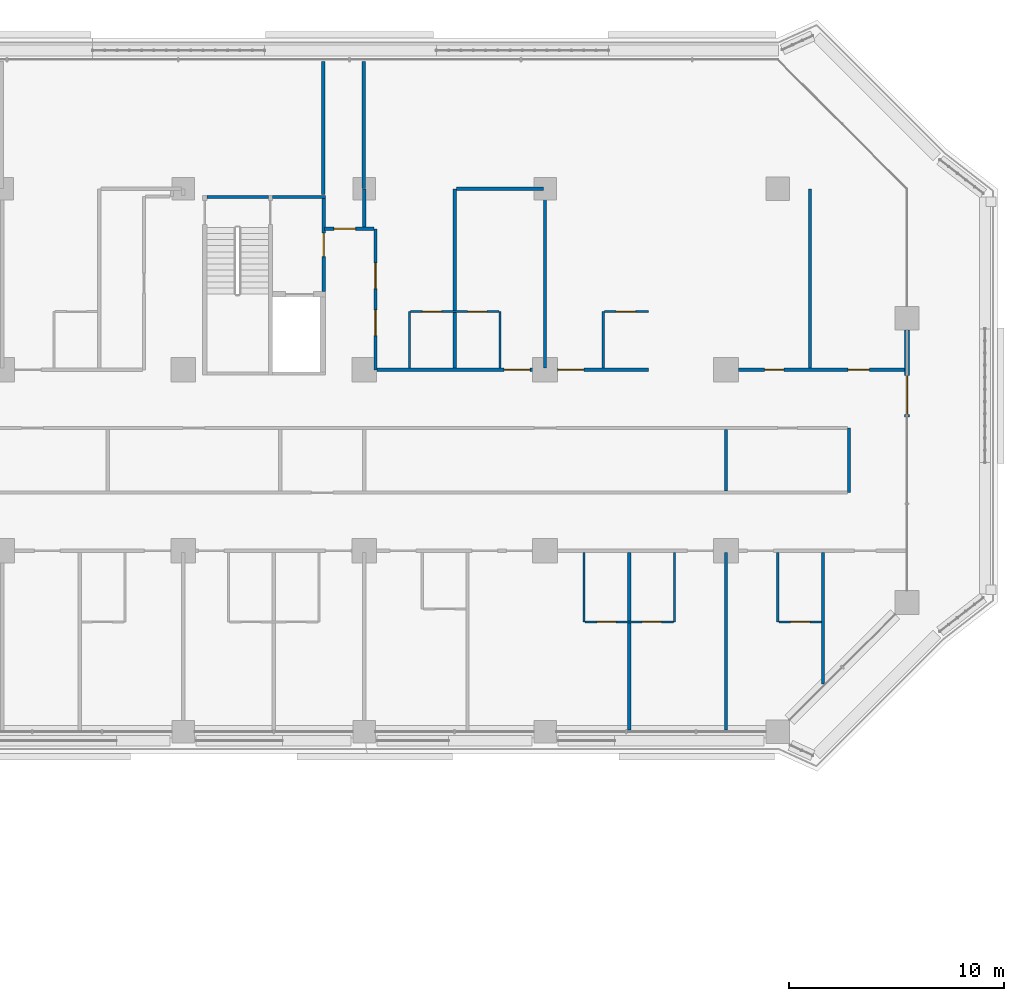
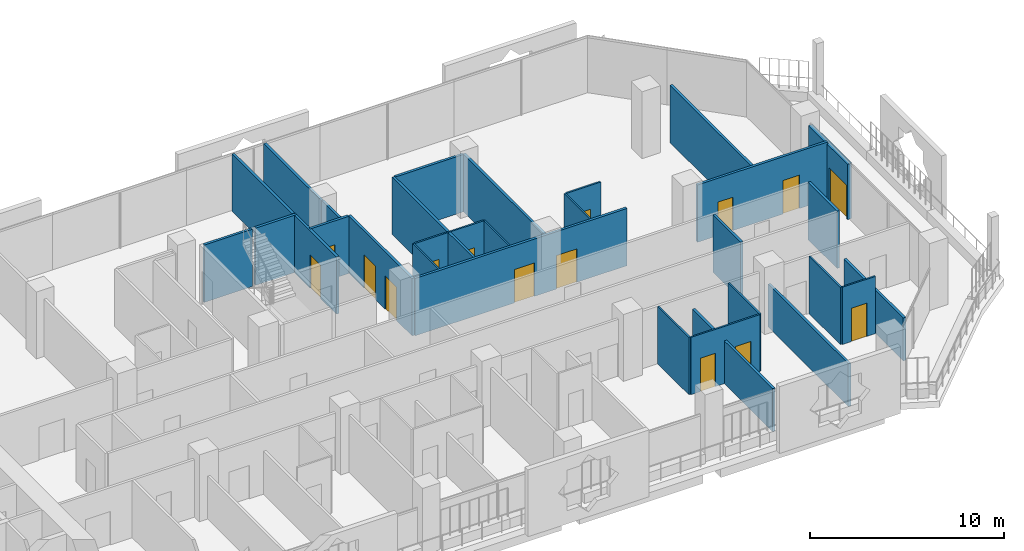
# One storey, part 17 of 25: 30 walls, 15 doors, 15 openings.
"""IFC4 building model written with IfcOpenShell, lengths in metres."""

from ifc_helpers import new_model, si_unit, direction, frame, frame_2d, origin, place, context, subcontext, project, spatial, rectangle, extrude, material, layer, layer_set, type_object, element, fill, save


model = new_model("IFC4")

# Units and contexts
model_context = context("Model", 3, precision=1e-05, world=origin(), true_north=direction((0.0, 1.0)))
body_context = subcontext(model_context, "Body", "Model", "MODEL_VIEW")
ifc_project = project(units=[si_unit("LENGTHUNIT", "METRE"), si_unit("AREAUNIT", "SQUARE_METRE"), si_unit("VOLUMEUNIT", "CUBIC_METRE"), si_unit("PLANEANGLEUNIT", "RADIAN"), si_unit("MASSUNIT", "GRAM", prefix="KILO")], contexts=[model_context])

# Site, building, storey
site_placement = place(None, origin())
site = spatial("IfcSite", under=ifc_project, at=site_placement, CompositionType="ELEMENT")
building_placement = place(site_placement, origin())
building = spatial("IfcBuilding", under=site, at=building_placement, Name="Kawkab Arch Medical Tower", CompositionType="ELEMENT")
storey_placement = place(building_placement, frame((0.0, 0.0, 136.60009765625)))
storey = spatial("IfcBuildingStorey", under=building, at=storey_placement, Name="L31", CompositionType="ELEMENT", Elevation=136.60009765625)

# Wall, opening, door
ifc_material_1 = material(Name="Gypsum board on steel studs", Category="steel")
ifc_layer_1 = layer(ifc_material_1, 0.14990234375)
ifc_layer_set_1 = layer_set([ifc_layer_1], Name="Gypsum board on steel studs")
wall_type_1 = type_object("IfcWallType", Name="Core room partition 150", PredefinedType="PARTITIONING", material=ifc_layer_set_1)
wall_1_placement = place(storey_placement, frame((48.52490234375, -4.77490234375, 0.0), z_axis=(0.0, 0.0, 1.0), x_axis=(0.0, 1.0, 0.0)))
wall_1 = element("IfcWall", 1, at=wall_1_placement, inside=storey, type_object=wall_type_1, Name="L31 core room partition", PredefinedType="PARTITIONING", context=body_context, shape_type="SweptSolid", body=[
    extrude(rectangle(XDim=4.324951171875, YDim=0.14990234375, at=frame_2d((2.16259765625, 0.0))), origin(), (0.0, 0.0, 1.0), 3.599853515625),
])
opening_1_placement = place(wall_1_placement, frame((1.625, 0.0, 0.0)))
opening_1 = element("IfcOpeningElement", 2, at=opening_1_placement, cuts=wall_1, Name="Opening FD", PredefinedType="OPENING", context=body_context, shape_type="SweptSolid", body=[
    extrude(rectangle(XDim=1.10009765625, YDim=2.10009765625, at=frame_2d((0.550048828125, 1.050048828125))), frame((0.0, 0.0849609375, 0.0), z_axis=(0.0, -1.0, 0.0), x_axis=(1.0, 0.0, 0.0)), (0.0, 0.0, 1.0), 0.169921875),
])
ifc_material_2 = material(Name="Hollow metal fire door leaf")
door_type_1 = type_object("IfcDoorType", Name="Firefighting lobby door 1100", OperationType="SINGLE_SWING_LEFT", PredefinedType="DOOR", material=ifc_material_2)
door_1_placement = place(opening_1_placement, origin())
door_1 = element("IfcDoor", 3, at=door_1_placement, inside=storey, type_object=door_type_1, Name="L31 Service lift lobby door SV1", OperationType="SINGLE_SWING_LEFT", OverallHeight=2.10009765625, OverallWidth=1.10009765625, PredefinedType="DOOR", context=body_context, shape_type="SweptSolid", body=[
    extrude(rectangle(XDim=1.10009765625, YDim=2.10009765625, at=frame_2d((0.550048828125, 1.050048828125))), frame((0.0, 0.02490234375, 0.0), z_axis=(0.0, -1.0, 0.0), x_axis=(1.0, 0.0, 0.0)), (0.0, 0.0, 1.0), 0.050048828125),
])
fill(opening_1, door_1)

ifc_material_3 = material(Name="Bronze clad insulated wall panel")
ifc_layer_2 = layer(ifc_material_3, 0.25)
ifc_layer_set_2 = layer_set([ifc_layer_2], Name="Bronze clad insulated wall panel")
wall_type_2 = type_object("IfcWallType", Name="External wall bay 250", PredefinedType="SOLIDWALL", material=ifc_layer_set_2)
wall_2_placement = place(storey_placement, frame((75.60009765625, -10.583251953125, 0.0), z_axis=(0.0, 0.0, 1.0), x_axis=(0.0, 1.0, 0.0)))
wall_2 = element("IfcWall", 4, at=wall_2_placement, inside=storey, type_object=wall_type_2, Name="External wall bay L31.R09.1.3", PredefinedType="SOLIDWALL", context=body_context, shape_type="SweptSolid", body=[
    extrude(rectangle(XDim=4.033203125, YDim=0.25, at=frame_2d((2.0166015625, 0.0))), origin(), (0.0, 0.0, 1.0), 3.47998046875),
])
opening_2_placement = place(wall_2_placement, frame((0.11669921875, 0.0, 0.0)))
opening_2 = element("IfcOpeningElement", 5, at=opening_2_placement, cuts=wall_2, Name="Opening W26-701", PredefinedType="OPENING", context=body_context, shape_type="SweptSolid", body=[
    extrude(rectangle(XDim=1.800048828125, YDim=2.10009765625, at=frame_2d((0.89990234375, 1.050048828125))), frame((0.0, 0.135009765625, 0.0), z_axis=(0.0, -1.0, 0.0), x_axis=(1.0, 0.0, 0.0)), (0.0, 0.0, 1.0), 0.27001953125),
])
ifc_material_4 = material(Name="Bronze anodised aluminium door with tinted glass", Category="aluminium")
door_type_2 = type_object("IfcDoorType", Name="Double external door 1800 x 2100", OperationType="DOUBLE_DOOR_SINGLE_SWING", PredefinedType="DOOR", material=ifc_material_4)
door_2_placement = place(opening_2_placement, origin())
door_2 = element("IfcDoor", 6, at=door_2_placement, inside=storey, type_object=door_type_2, Name="External door L31.R09.1.3", OperationType="DOUBLE_DOOR_SINGLE_SWING", OverallHeight=2.10009765625, OverallWidth=1.800048828125, PredefinedType="DOOR", context=body_context, shape_type="SweptSolid", body=[
    extrude(rectangle(XDim=1.800048828125, YDim=2.10009765625, at=frame_2d((0.89990234375, 1.050048828125))), frame((0.0, 0.02490234375, 0.0), z_axis=(0.0, -1.0, 0.0), x_axis=(1.0, 0.0, 0.0)), (0.0, 0.0, 1.0), 0.050048828125),
])
fill(opening_2, door_2)

# Wall, openings, doors
ifc_material_5 = material(Name="Gypsum board partition on steel studs", Category="steel")
ifc_layer_3 = layer(ifc_material_5, 0.10009765625)
ifc_layer_set_3 = layer_set([ifc_layer_3], Name="Gypsum board partition on steel studs")
wall_type_3 = type_object("IfcWallType", Name="Partition 100", PredefinedType="PARTITIONING", material=ifc_layer_set_3)
wall_3_placement = place(storey_placement, frame((60.652099609375, -20.10009765625, 0.0), z_axis=(0.0, 0.0, 1.0), x_axis=(1.0, 0.0, 0.0)))
wall_3 = element("IfcWall", 7, at=wall_3_placement, inside=storey, type_object=wall_type_3, Name="Partition 100 w007", PredefinedType="PARTITIONING", context=body_context, shape_type="SweptSolid", body=[
    extrude(rectangle(XDim=4.097900390625, YDim=0.10009765625, at=frame_2d((2.048828125, 0.0))), origin(), (0.0, 0.0, 1.0), 3.599853515625),
])
opening_3_placement = place(wall_3_placement, frame((0.549072265625, 0.0, 0.0)))
opening_3 = element("IfcOpeningElement", 8, at=opening_3_placement, cuts=wall_3, Name="Opening W26-017", PredefinedType="OPENING", context=body_context, shape_type="SweptSolid", body=[
    extrude(rectangle(XDim=0.89990234375, YDim=2.10009765625, at=frame_2d((0.449951171875, 1.050048828125))), frame((0.0, 0.06005859375, 0.0), z_axis=(0.0, -1.0, 0.0), x_axis=(1.0, 0.0, 0.0)), (0.0, 0.0, 1.0), 0.1201171875),
])
opening_4_placement = place(wall_3_placement, frame((2.64794921875, 0.0, 0.0)))
opening_4 = element("IfcOpeningElement", 9, at=opening_4_placement, cuts=wall_3, Name="Opening W26-018", PredefinedType="OPENING", context=body_context, shape_type="SweptSolid", body=[
    extrude(rectangle(XDim=0.89990234375, YDim=2.10009765625, at=frame_2d((0.449951171875, 1.050048828125))), frame((0.0, 0.06005859375, 0.0), z_axis=(0.0, -1.0, 0.0), x_axis=(1.0, 0.0, 0.0)), (0.0, 0.0, 1.0), 0.1201171875),
])
ifc_material_6 = material(Name="Timber door leaf", Category="wood")
door_type_3 = type_object("IfcDoorType", Name="Single door 900x2100", OperationType="NOTDEFINED", PredefinedType="DOOR", material=ifc_material_6)
door_3_placement = place(opening_3_placement, origin())
door_3 = element("IfcDoor", 10, at=door_3_placement, inside=storey, type_object=door_type_3, Name="Door W26-017", OperationType="SINGLE_SWING_RIGHT", OverallHeight=2.10009765625, OverallWidth=0.89990234375, PredefinedType="DOOR", context=body_context, shape_type="SweptSolid", body=[
    extrude(rectangle(XDim=0.89990234375, YDim=2.10009765625, at=frame_2d((0.449951171875, 1.050048828125))), frame((0.0, 0.02490234375, 0.0), z_axis=(0.0, -1.0, 0.0), x_axis=(1.0, 0.0, 0.0)), (0.0, 0.0, 1.0), 0.050048828125),
])
fill(opening_3, door_3)
door_4_placement = place(opening_4_placement, origin())
door_4 = element("IfcDoor", 11, at=door_4_placement, inside=storey, type_object=door_type_3, Name="Door W26-018", OperationType="SINGLE_SWING_LEFT", OverallHeight=2.10009765625, OverallWidth=0.89990234375, PredefinedType="DOOR", context=body_context, shape_type="SweptSolid", body=[
    extrude(rectangle(XDim=0.89990234375, YDim=2.10009765625, at=frame_2d((0.449951171875, 1.050048828125))), frame((0.0, 0.02490234375, 0.0), z_axis=(0.0, -1.0, 0.0), x_axis=(1.0, 0.0, 0.0)), (0.0, 0.0, 1.0), 0.050048828125),
])
fill(opening_4, door_4)

# Wall, opening, door
wall_4_placement = place(storey_placement, frame((69.64990234375, -20.10009765625, 0.0), z_axis=(0.0, 0.0, 1.0), x_axis=(1.0, 0.0, 0.0)))
wall_4 = element("IfcWall", 12, at=wall_4_placement, inside=storey, type_object=wall_type_3, Name="Partition 100 w008", PredefinedType="PARTITIONING", context=body_context, shape_type="SweptSolid", body=[
    extrude(rectangle(XDim=1.97509765625, YDim=0.10009765625, at=frame_2d((0.987548828125, 0.0))), origin(), (0.0, 0.0, 1.0), 3.599853515625),
])
opening_5_placement = place(wall_4_placement, frame((0.550048828125, 0.0, 0.0)))
opening_5 = element("IfcOpeningElement", 13, at=opening_5_placement, cuts=wall_4, Name="Opening W26-019", PredefinedType="OPENING", context=body_context, shape_type="SweptSolid", body=[
    extrude(rectangle(XDim=0.89990234375, YDim=2.10009765625, at=frame_2d((0.449951171875, 1.050048828125))), frame((0.0, 0.06005859375, 0.0), z_axis=(0.0, -1.0, 0.0), x_axis=(1.0, 0.0, 0.0)), (0.0, 0.0, 1.0), 0.1201171875),
])
door_5_placement = place(opening_5_placement, origin())
door_5 = element("IfcDoor", 14, at=door_5_placement, inside=storey, type_object=door_type_3, Name="Door W26-019", OperationType="SINGLE_SWING_RIGHT", OverallHeight=2.10009765625, OverallWidth=0.89990234375, PredefinedType="DOOR", context=body_context, shape_type="SweptSolid", body=[
    extrude(rectangle(XDim=0.89990234375, YDim=2.10009765625, at=frame_2d((0.449951171875, 1.050048828125))), frame((0.0, 0.02490234375, 0.0), z_axis=(0.0, -1.0, 0.0), x_axis=(1.0, 0.0, 0.0)), (0.0, 0.0, 1.0), 0.050048828125),
])
fill(opening_5, door_5)

# Wall, openings, doors
wall_5_placement = place(storey_placement, frame((52.550048828125, -5.699951171875, 0.0), z_axis=(0.0, 0.0, 1.0), x_axis=(1.0, 0.0, 0.0)))
wall_5 = element("IfcWall", 15, at=wall_5_placement, inside=storey, type_object=wall_type_3, Name="Partition 100 w011", PredefinedType="PARTITIONING", context=body_context, shape_type="SweptSolid", body=[
    extrude(rectangle(XDim=4.099853515625, YDim=0.10009765625, at=frame_2d((2.0498046875, 0.0))), origin(), (0.0, 0.0, 1.0), 3.599853515625),
])
opening_6_placement = place(wall_5_placement, frame((0.550048828125, 0.0, 0.0)))
opening_6 = element("IfcOpeningElement", 16, at=opening_6_placement, cuts=wall_5, Name="Opening W26-007", PredefinedType="OPENING", context=body_context, shape_type="SweptSolid", body=[
    extrude(rectangle(XDim=0.89990234375, YDim=2.10009765625, at=frame_2d((0.449951171875, 1.050048828125))), frame((0.0, 0.06005859375, 0.0), z_axis=(0.0, -1.0, 0.0), x_axis=(1.0, 0.0, 0.0)), (0.0, 0.0, 1.0), 0.1201171875),
])
opening_7_placement = place(wall_5_placement, frame((2.64990234375, 0.0, 0.0)))
opening_7 = element("IfcOpeningElement", 17, at=opening_7_placement, cuts=wall_5, Name="Opening W26-008", PredefinedType="OPENING", context=body_context, shape_type="SweptSolid", body=[
    extrude(rectangle(XDim=0.89990234375, YDim=2.10009765625, at=frame_2d((0.449951171875, 1.050048828125))), frame((0.0, 0.06005859375, 0.0), z_axis=(0.0, -1.0, 0.0), x_axis=(1.0, 0.0, 0.0)), (0.0, 0.0, 1.0), 0.1201171875),
])
door_6_placement = place(opening_6_placement, origin())
door_6 = element("IfcDoor", 18, at=door_6_placement, inside=storey, type_object=door_type_3, Name="Door W26-007", OperationType="SINGLE_SWING_LEFT", OverallHeight=2.10009765625, OverallWidth=0.89990234375, PredefinedType="DOOR", context=body_context, shape_type="SweptSolid", body=[
    extrude(rectangle(XDim=0.89990234375, YDim=2.10009765625, at=frame_2d((0.449951171875, 1.050048828125))), frame((0.0, 0.02490234375, 0.0), z_axis=(0.0, -1.0, 0.0), x_axis=(1.0, 0.0, 0.0)), (0.0, 0.0, 1.0), 0.050048828125),
])
fill(opening_6, door_6)
door_7_placement = place(opening_7_placement, origin())
door_7 = element("IfcDoor", 19, at=door_7_placement, inside=storey, type_object=door_type_3, Name="Door W26-008", OperationType="SINGLE_SWING_RIGHT", OverallHeight=2.10009765625, OverallWidth=0.89990234375, PredefinedType="DOOR", context=body_context, shape_type="SweptSolid", body=[
    extrude(rectangle(XDim=0.89990234375, YDim=2.10009765625, at=frame_2d((0.449951171875, 1.050048828125))), frame((0.0, 0.02490234375, 0.0), z_axis=(0.0, -1.0, 0.0), x_axis=(1.0, 0.0, 0.0)), (0.0, 0.0, 1.0), 0.050048828125),
])
fill(opening_7, door_7)

# Wall, opening, door
wall_6_placement = place(storey_placement, frame((61.550048828125, -5.699951171875, 0.0), z_axis=(0.0, 0.0, 1.0), x_axis=(1.0, 0.0, 0.0)))
wall_6 = element("IfcWall", 20, at=wall_6_placement, inside=storey, type_object=wall_type_3, Name="Partition 100 w012", PredefinedType="PARTITIONING", context=body_context, shape_type="SweptSolid", body=[
    extrude(rectangle(XDim=2.050048828125, YDim=0.10009765625, at=frame_2d((1.02490234375, 0.0))), origin(), (0.0, 0.0, 1.0), 3.599853515625),
])
opening_8_placement = place(wall_6_placement, frame((0.550048828125, 0.0, 0.0)))
opening_8 = element("IfcOpeningElement", 21, at=opening_8_placement, cuts=wall_6, Name="Opening W26-009", PredefinedType="OPENING", context=body_context, shape_type="SweptSolid", body=[
    extrude(rectangle(XDim=0.89990234375, YDim=2.10009765625, at=frame_2d((0.449951171875, 1.050048828125))), frame((0.0, 0.06005859375, 0.0), z_axis=(0.0, -1.0, 0.0), x_axis=(1.0, 0.0, 0.0)), (0.0, 0.0, 1.0), 0.1201171875),
])
door_8_placement = place(opening_8_placement, origin())
door_8 = element("IfcDoor", 22, at=door_8_placement, inside=storey, type_object=door_type_3, Name="Door W26-009", OperationType="SINGLE_SWING_LEFT", OverallHeight=2.10009765625, OverallWidth=0.89990234375, PredefinedType="DOOR", context=body_context, shape_type="SweptSolid", body=[
    extrude(rectangle(XDim=0.89990234375, YDim=2.10009765625, at=frame_2d((0.449951171875, 1.050048828125))), frame((0.0, 0.02490234375, 0.0), z_axis=(0.0, -1.0, 0.0), x_axis=(1.0, 0.0, 0.0)), (0.0, 0.0, 1.0), 0.050048828125),
])
fill(opening_8, door_8)

# Walls
for number, where, z_axis, x_axis, name in (
    (23, (52.5, -8.324951171875, 0.0), (0.0, 0.0, 1.0), (0.0, 1.0, 0.0), "Partition 100 w020"),
    (24, (56.699951171875, -8.324951171875, 0.0), (0.0, 0.0, 1.0), (0.0, 1.0, 0.0), "Partition 100 w022"),
):
    element("IfcWall", number, at=place(storey_placement, frame(where, z_axis=z_axis, x_axis=x_axis)), inside=storey, type_object=wall_type_3, Name=name, PredefinedType="PARTITIONING", context=body_context, shape_type="SweptSolid", body=[
        extrude(rectangle(XDim=2.625, YDim=0.10009765625, at=frame_2d((1.3125, 0.0))), origin(), (0.0, 0.0, 1.0), 3.599853515625),
    ])
wall_7_placement = place(storey_placement, frame((60.60009765625, -20.09912109375, 0.0), z_axis=(0.0, 0.0, 1.0), x_axis=(0.0, 1.0, 0.0)))
element("IfcWall", 25, at=wall_7_placement, inside=storey, type_object=wall_type_3, Name="Partition 100 w023", PredefinedType="PARTITIONING", context=body_context, shape_type="SweptSolid", body=[
    extrude(rectangle(XDim=3.22412109375, YDim=0.10009765625, at=frame_2d((1.612060546875, 0.0))), origin(), (0.0, 0.0, 1.0), 3.599853515625),
])
wall_8_placement = place(storey_placement, frame((61.5, -8.324951171875, 0.0), z_axis=(0.0, 0.0, 1.0), x_axis=(0.0, 1.0, 0.0)))
element("IfcWall", 26, at=wall_8_placement, inside=storey, type_object=wall_type_3, Name="Partition 100 w024", PredefinedType="PARTITIONING", context=body_context, shape_type="SweptSolid", body=[
    extrude(rectangle(XDim=2.625, YDim=0.10009765625, at=frame_2d((1.3125, 0.0))), origin(), (0.0, 0.0, 1.0), 3.599853515625),
])
for number, where, z_axis, x_axis, name in (
    (27, (64.800048828125, -20.10009765625, 0.0), (0.0, 0.0, 1.0), (0.0, 1.0, 0.0), "Partition 100 w025"),
    (28, (69.60009765625, -20.10009765625, 0.0), (0.0, 0.0, 1.0), (0.0, 1.0, 0.0), "Partition 100 w026"),
):
    element("IfcWall", number, at=place(storey_placement, frame(where, z_axis=z_axis, x_axis=x_axis)), inside=storey, type_object=wall_type_3, Name=name, PredefinedType="PARTITIONING", context=body_context, shape_type="SweptSolid", body=[
        extrude(rectangle(XDim=3.22509765625, YDim=0.10009765625, at=frame_2d((1.612548828125, 0.0))), origin(), (0.0, 0.0, 1.0), 3.599853515625),
    ])

# Wall, openings, doors
ifc_material_7 = material(Name="Gypsum board partition on steel studs, mineral wool", Category="steel")
ifc_layer_4 = layer(ifc_material_7, 0.14990234375)
ifc_layer_set_4 = layer_set([ifc_layer_4], Name="Gypsum board partition on steel studs, mineral wool")
wall_type_4 = type_object("IfcWallType", Name="Partition 150", PredefinedType="PARTITIONING", material=ifc_layer_set_4)
wall_9_placement = place(storey_placement, frame((51.0, -8.39990234375, 0.0), z_axis=(0.0, 0.0, 1.0), x_axis=(1.0, 0.0, 0.0)))
wall_9 = element("IfcWall", 29, at=wall_9_placement, inside=storey, type_object=wall_type_4, Name="Partition 150 w049", PredefinedType="PARTITIONING", context=body_context, shape_type="SweptSolid", body=[
    extrude(rectangle(XDim=12.60009765625, YDim=0.14990234375, at=frame_2d((6.300048828125, 0.0))), origin(), (0.0, 0.0, 1.0), 3.599853515625),
])
opening_9_placement = place(wall_9_placement, frame((5.89990234375, 0.0, 0.0)))
opening_9 = element("IfcOpeningElement", 30, at=opening_9_placement, cuts=wall_9, Name="Opening W26-041", PredefinedType="OPENING", context=body_context, shape_type="SweptSolid", body=[
    extrude(rectangle(XDim=1.199951171875, YDim=2.10009765625, at=frame_2d((0.60009765625, 1.050048828125))), frame((0.0, 0.0849609375, 0.0), z_axis=(0.0, -1.0, 0.0), x_axis=(1.0, 0.0, 0.0)), (0.0, 0.0, 1.0), 0.169921875),
])
opening_10_placement = place(wall_9_placement, frame((8.39990234375, 0.0, 0.0)))
opening_10 = element("IfcOpeningElement", 31, at=opening_10_placement, cuts=wall_9, Name="Opening W26-042", PredefinedType="OPENING", context=body_context, shape_type="SweptSolid", body=[
    extrude(rectangle(XDim=1.199951171875, YDim=2.10009765625, at=frame_2d((0.60009765625, 1.050048828125))), frame((0.0, 0.0849609375, 0.0), z_axis=(0.0, -1.0, 0.0), x_axis=(1.0, 0.0, 0.0)), (0.0, 0.0, 1.0), 0.169921875),
])
ifc_material_8 = material(Name="Hollow metal door leaf")
door_type_4 = type_object("IfcDoorType", Name="Single door 1200x2100 FD30S", OperationType="NOTDEFINED", PredefinedType="DOOR", material=ifc_material_8)
door_9_placement = place(opening_9_placement, origin())
door_9 = element("IfcDoor", 32, at=door_9_placement, inside=storey, type_object=door_type_4, Name="Door W26-041", OperationType="SINGLE_SWING_RIGHT", OverallHeight=2.10009765625, OverallWidth=1.199951171875, PredefinedType="DOOR", context=body_context, shape_type="SweptSolid", body=[
    extrude(rectangle(XDim=1.199951171875, YDim=2.10009765625, at=frame_2d((0.60009765625, 1.050048828125))), frame((0.0, 0.02490234375, 0.0), z_axis=(0.0, -1.0, 0.0), x_axis=(1.0, 0.0, 0.0)), (0.0, 0.0, 1.0), 0.050048828125),
])
fill(opening_9, door_9)
door_10_placement = place(opening_10_placement, origin())
door_10 = element("IfcDoor", 33, at=door_10_placement, inside=storey, type_object=door_type_4, Name="Door W26-042", OperationType="SINGLE_SWING_RIGHT", OverallHeight=2.10009765625, OverallWidth=1.199951171875, PredefinedType="DOOR", context=body_context, shape_type="SweptSolid", body=[
    extrude(rectangle(XDim=1.199951171875, YDim=2.10009765625, at=frame_2d((0.60009765625, 1.050048828125))), frame((0.0, 0.02490234375, 0.0), z_axis=(0.0, -1.0, 0.0), x_axis=(1.0, 0.0, 0.0)), (0.0, 0.0, 1.0), 0.050048828125),
])
fill(opening_10, door_10)

wall_10_placement = place(storey_placement, frame((67.77490234375, -8.39990234375, 0.0), z_axis=(0.0, 0.0, 1.0), x_axis=(1.0, 0.0, 0.0)))
wall_10 = element("IfcWall", 34, at=wall_10_placement, inside=storey, type_object=wall_type_4, Name="Partition 150 w050", PredefinedType="PARTITIONING", context=body_context, shape_type="SweptSolid", body=[
    extrude(rectangle(XDim=7.7451171875, YDim=0.14990234375, at=frame_2d((3.87255859375, 0.0))), origin(), (0.0, 0.0, 1.0), 3.599853515625),
])
opening_11_placement = place(wall_10_placement, frame((1.2119140625, 0.0, 0.0)))
opening_11 = element("IfcOpeningElement", 35, at=opening_11_placement, cuts=wall_10, Name="Opening W26-010", PredefinedType="OPENING", context=body_context, shape_type="SweptSolid", body=[
    extrude(rectangle(XDim=0.89990234375, YDim=2.10009765625, at=frame_2d((0.449951171875, 1.050048828125))), frame((0.0, 0.0849609375, 0.0), z_axis=(0.0, -1.0, 0.0), x_axis=(1.0, 0.0, 0.0)), (0.0, 0.0, 1.0), 0.169921875),
])
opening_12_placement = place(wall_10_placement, frame((5.074951171875, 0.0, 0.0)))
opening_12 = element("IfcOpeningElement", 36, at=opening_12_placement, cuts=wall_10, Name="Opening W26-027", PredefinedType="OPENING", context=body_context, shape_type="SweptSolid", body=[
    extrude(rectangle(XDim=1.0, YDim=2.10009765625, at=frame_2d((0.5, 1.050048828125))), frame((0.0, 0.0849609375, 0.0), z_axis=(0.0, -1.0, 0.0), x_axis=(1.0, 0.0, 0.0)), (0.0, 0.0, 1.0), 0.169921875),
])
ifc_material_9 = material(Name="Hollow metal door leaf")
door_type_5 = type_object("IfcDoorType", Name="Single door 1000x2100 FD30S", OperationType="NOTDEFINED", PredefinedType="DOOR", material=ifc_material_9)
door_11_placement = place(opening_12_placement, origin())
door_11 = element("IfcDoor", 37, at=door_11_placement, inside=storey, type_object=door_type_5, Name="Door W26-027", OperationType="SINGLE_SWING_RIGHT", OverallHeight=2.10009765625, OverallWidth=1.0, PredefinedType="DOOR", context=body_context, shape_type="SweptSolid", body=[
    extrude(rectangle(XDim=1.0, YDim=2.10009765625, at=frame_2d((0.5, 1.050048828125))), frame((0.0, 0.02490234375, 0.0), z_axis=(0.0, -1.0, 0.0), x_axis=(1.0, 0.0, 0.0)), (0.0, 0.0, 1.0), 0.050048828125),
])
fill(opening_12, door_11)
door_12_placement = place(opening_11_placement, origin())
door_12 = element("IfcDoor", 38, at=door_12_placement, inside=storey, type_object=door_type_3, Name="Door W26-010", OperationType="SINGLE_SWING_LEFT", OverallHeight=2.10009765625, OverallWidth=0.89990234375, PredefinedType="DOOR", context=body_context, shape_type="SweptSolid", body=[
    extrude(rectangle(XDim=0.89990234375, YDim=2.10009765625, at=frame_2d((0.449951171875, 1.050048828125))), frame((0.0, 0.02490234375, 0.0), z_axis=(0.0, -1.0, 0.0), x_axis=(1.0, 0.0, 0.0)), (0.0, 0.0, 1.0), 0.050048828125),
])
fill(opening_11, door_12)

# Wall, opening, door
wall_11_placement = place(storey_placement, frame((48.550048828125, -1.85009765625, 0.0), z_axis=(0.0, 0.0, 1.0), x_axis=(1.0, 0.0, 0.0)))
wall_11 = element("IfcWall", 39, at=wall_11_placement, inside=storey, type_object=wall_type_4, Name="Partition 150 w052", PredefinedType="PARTITIONING", context=body_context, shape_type="SweptSolid", body=[
    extrude(rectangle(XDim=2.2978515625, YDim=0.14990234375, at=frame_2d((1.14892578125, 0.0))), origin(), (0.0, 0.0, 1.0), 3.599853515625),
])
opening_13_placement = place(wall_11_placement, frame((0.449951171875, 0.0, 0.0)))
opening_13 = element("IfcOpeningElement", 40, at=opening_13_placement, cuts=wall_11, Name="Opening W26-026", PredefinedType="OPENING", context=body_context, shape_type="SweptSolid", body=[
    extrude(rectangle(XDim=1.0, YDim=2.10009765625, at=frame_2d((0.5, 1.050048828125))), frame((0.0, 0.0849609375, 0.0), z_axis=(0.0, -1.0, 0.0), x_axis=(1.0, 0.0, 0.0)), (0.0, 0.0, 1.0), 0.169921875),
])
door_13_placement = place(opening_13_placement, origin())
door_13 = element("IfcDoor", 41, at=door_13_placement, inside=storey, type_object=door_type_5, Name="Door W26-026", OperationType="SINGLE_SWING_RIGHT", OverallHeight=2.10009765625, OverallWidth=1.0, PredefinedType="DOOR", context=body_context, shape_type="SweptSolid", body=[
    extrude(rectangle(XDim=1.0, YDim=2.10009765625, at=frame_2d((0.5, 1.050048828125))), frame((0.0, 0.02490234375, 0.0), z_axis=(0.0, -1.0, 0.0), x_axis=(1.0, 0.0, 0.0)), (0.0, 0.0, 1.0), 0.050048828125),
])
fill(opening_13, door_13)

# Walls
wall_12_placement = place(storey_placement, frame((54.677978515625, 0.0, 0.0), z_axis=(0.0, 0.0, 1.0), x_axis=(1.0, 0.0, 0.0)))
element("IfcWall", 42, at=wall_12_placement, inside=storey, type_object=wall_type_4, Name="Partition 150 w055", PredefinedType="PARTITIONING", context=body_context, shape_type="SweptSolid", body=[
    extrude(rectangle(XDim=4.047119140625, YDim=0.14990234375, at=frame_2d((2.0234375, 0.0))), origin(), (0.0, 0.0, 1.0), 3.599853515625),
])
wall_13_placement = place(storey_placement, frame((48.5, -0.27001953125, 0.0), z_axis=(0.0, 0.0, 1.0), x_axis=(0.0, 1.0, 0.0)))
element("IfcWall", 43, at=wall_13_placement, inside=storey, type_object=wall_type_4, Name="Partition 150 w079", PredefinedType="PARTITIONING", context=body_context, shape_type="SweptSolid", body=[
    extrude(rectangle(XDim=6.18994140625, YDim=0.14990234375, at=frame_2d((3.094970703125, 0.0))), origin(), (0.0, 0.0, 1.0), 3.599853515625),
])
wall_14_placement = place(storey_placement, frame((50.3798828125, 0.02001953125, 0.0), z_axis=(0.0, 0.0, 1.0), x_axis=(0.0, 1.0, 0.0)))
element("IfcWall", 44, at=wall_14_placement, inside=storey, type_object=wall_type_4, Name="Partition 150 w080", PredefinedType="PARTITIONING", context=body_context, shape_type="SweptSolid", body=[
    extrude(rectangle(XDim=5.89990234375, YDim=0.14990234375, at=frame_2d((2.949951171875, 0.0))), origin(), (0.0, 0.0, 1.0), 3.599853515625),
])
wall_15_placement = place(storey_placement, frame((50.39990234375, -1.77490234375, 0.0), z_axis=(0.0, 0.0, 1.0), x_axis=(0.0, 1.0, 0.0)))
element("IfcWall", 45, at=wall_15_placement, inside=storey, type_object=wall_type_4, Name="Partition 150 w083", PredefinedType="PARTITIONING", context=body_context, shape_type="SweptSolid", body=[
    extrude(rectangle(XDim=1.77294921875, YDim=0.14990234375, at=frame_2d((0.886474609375, 0.0))), origin(), (0.0, 0.0, 1.0), 3.599853515625),
])

# Wall, openings, doors
wall_16_placement = place(storey_placement, frame((50.925048828125, -8.39990234375, 0.0), z_axis=(0.0, 0.0, 1.0), x_axis=(0.0, 1.0, 0.0)))
wall_16 = element("IfcWall", 46, at=wall_16_placement, inside=storey, type_object=wall_type_4, Name="Partition 150 w084", PredefinedType="PARTITIONING", context=body_context, shape_type="SweptSolid", body=[
    extrude(rectangle(XDim=6.5478515625, YDim=0.14990234375, at=frame_2d((3.27392578125, 0.0))), origin(), (0.0, 0.0, 1.0), 3.599853515625),
])
opening_14_placement = place(wall_16_placement, frame((3.764892578125, 0.0, 0.0)))
opening_14 = element("IfcOpeningElement", 47, at=opening_14_placement, cuts=wall_16, Name="Opening W26-039", PredefinedType="OPENING", context=body_context, shape_type="SweptSolid", body=[
    extrude(rectangle(XDim=1.199951171875, YDim=2.10009765625, at=frame_2d((0.60009765625, 1.050048828125))), frame((0.0, 0.0849609375, 0.0), z_axis=(0.0, -1.0, 0.0), x_axis=(1.0, 0.0, 0.0)), (0.0, 0.0, 1.0), 0.169921875),
])
opening_15_placement = place(wall_16_placement, frame((1.5830078125, 0.0, 0.0)))
opening_15 = element("IfcOpeningElement", 48, at=opening_15_placement, cuts=wall_16, Name="Opening W26-040", PredefinedType="OPENING", context=body_context, shape_type="SweptSolid", body=[
    extrude(rectangle(XDim=1.199951171875, YDim=2.10009765625, at=frame_2d((0.60009765625, 1.050048828125))), frame((0.0, 0.0849609375, 0.0), z_axis=(0.0, -1.0, 0.0), x_axis=(1.0, 0.0, 0.0)), (0.0, 0.0, 1.0), 0.169921875),
])
door_14_placement = place(opening_14_placement, origin())
door_14 = element("IfcDoor", 49, at=door_14_placement, inside=storey, type_object=door_type_4, Name="Door W26-039", OperationType="SINGLE_SWING_LEFT", OverallHeight=2.10009765625, OverallWidth=1.199951171875, PredefinedType="DOOR", context=body_context, shape_type="SweptSolid", body=[
    extrude(rectangle(XDim=1.199951171875, YDim=2.10009765625, at=frame_2d((0.60009765625, 1.050048828125))), frame((0.0, 0.02490234375, 0.0), z_axis=(0.0, -1.0, 0.0), x_axis=(1.0, 0.0, 0.0)), (0.0, 0.0, 1.0), 0.050048828125),
])
fill(opening_14, door_14)
door_15_placement = place(opening_15_placement, origin())
door_15 = element("IfcDoor", 50, at=door_15_placement, inside=storey, type_object=door_type_4, Name="Door W26-040", OperationType="SINGLE_SWING_RIGHT", OverallHeight=2.10009765625, OverallWidth=1.199951171875, PredefinedType="DOOR", context=body_context, shape_type="SweptSolid", body=[
    extrude(rectangle(XDim=1.199951171875, YDim=2.10009765625, at=frame_2d((0.60009765625, 1.050048828125))), frame((0.0, 0.02490234375, 0.0), z_axis=(0.0, -1.0, 0.0), x_axis=(1.0, 0.0, 0.0)), (0.0, 0.0, 1.0), 0.050048828125),
])
fill(opening_15, door_15)

# Walls
wall_17_placement = place(storey_placement, frame((54.60009765625, -8.324951171875, 0.0), z_axis=(0.0, 0.0, 1.0), x_axis=(0.0, 1.0, 0.0)))
element("IfcWall", 51, at=wall_17_placement, inside=storey, type_object=wall_type_4, Name="Partition 150 w085", PredefinedType="PARTITIONING", context=body_context, shape_type="SweptSolid", body=[
    extrude(rectangle(XDim=8.322998046875, YDim=0.14990234375, at=frame_2d((4.16162109375, 0.0))), origin(), (0.0, 0.0, 1.0), 3.599853515625),
])
wall_18_placement = place(storey_placement, frame((58.800048828125, -8.324951171875, 0.0), z_axis=(0.0, 0.0, 1.0), x_axis=(0.0, 1.0, 0.0)))
element("IfcWall", 52, at=wall_18_placement, inside=storey, type_object=wall_type_4, Name="Partition 150 w087", PredefinedType="PARTITIONING", context=body_context, shape_type="SweptSolid", body=[
    extrude(rectangle(XDim=8.324951171875, YDim=0.14990234375, at=frame_2d((4.16259765625, 0.0))), origin(), (0.0, 0.0, 1.0), 3.599853515625),
])
for number, where, z_axis, x_axis, name in (
    (53, (62.699951171875, -25.1201171875, 0.0), (0.0, 0.0, 1.0), (0.0, 1.0, 0.0), "Partition 150 w088"),
    (54, (67.199951171875, -25.1201171875, 0.0), (0.0, 0.0, 1.0), (0.0, 1.0, 0.0), "Partition 150 w089"),
):
    element("IfcWall", number, at=place(storey_placement, frame(where, z_axis=z_axis, x_axis=x_axis)), inside=storey, type_object=wall_type_4, Name=name, PredefinedType="PARTITIONING", context=body_context, shape_type="SweptSolid", body=[
        extrude(rectangle(XDim=8.2451171875, YDim=0.14990234375, at=frame_2d((4.12255859375, 0.0))), origin(), (0.0, 0.0, 1.0), 2.699951171875),
    ])
wall_19_placement = place(storey_placement, frame((67.199951171875, -14.02490234375, 0.0), z_axis=(0.0, 0.0, 1.0), x_axis=(0.0, 1.0, 0.0)))
element("IfcWall", 55, at=wall_19_placement, inside=storey, type_object=wall_type_4, Name="Partition 150 w090", PredefinedType="PARTITIONING", context=body_context, shape_type="SweptSolid", body=[
    extrude(rectangle(XDim=2.849853515625, YDim=0.14990234375, at=frame_2d((1.4248046875, 0.0))), origin(), (0.0, 0.0, 1.0), 3.599853515625),
])
wall_20_placement = place(storey_placement, frame((71.10009765625, -8.324951171875, 0.0), z_axis=(0.0, 0.0, 1.0), x_axis=(0.0, 1.0, 0.0)))
element("IfcWall", 56, at=wall_20_placement, inside=storey, type_object=wall_type_4, Name="Partition 150 w091", PredefinedType="PARTITIONING", context=body_context, shape_type="SweptSolid", body=[
    extrude(rectangle(XDim=8.324951171875, YDim=0.14990234375, at=frame_2d((4.16259765625, 0.0))), origin(), (0.0, 0.0, 1.0), 3.599853515625),
])
wall_21_placement = place(storey_placement, frame((71.699951171875, -22.987060546875, 0.0), z_axis=(0.0, 0.0, 1.0), x_axis=(0.0, 1.0, 0.0)))
element("IfcWall", 57, at=wall_21_placement, inside=storey, type_object=wall_type_4, Name="Partition 150 w092", PredefinedType="PARTITIONING", context=body_context, shape_type="SweptSolid", body=[
    extrude(rectangle(XDim=6.112060546875, YDim=0.14990234375, at=frame_2d((3.05615234375, 0.0))), origin(), (0.0, 0.0, 1.0), 2.699951171875),
])
wall_22_placement = place(storey_placement, frame((72.89990234375, -14.10009765625, 0.0), z_axis=(0.0, 0.0, 1.0), x_axis=(0.0, 1.0, 0.0)))
element("IfcWall", 58, at=wall_22_placement, inside=storey, type_object=wall_type_4, Name="Partition 150 w093", PredefinedType="PARTITIONING", context=body_context, shape_type="SweptSolid", body=[
    extrude(rectangle(XDim=3.0, YDim=0.14990234375, at=frame_2d((1.5, 0.0))), origin(), (0.0, 0.0, 1.0), 3.599853515625),
])
ifc_material_10 = material(Name="Concrete C50/60", Category="concrete")
ifc_layer_5 = layer(ifc_material_10, 0.14990234375)
ifc_layer_set_5 = layer_set([ifc_layer_5], Name="Concrete C50/60")
wall_type_5 = type_object("IfcWallType", Name="Stair enclosure wall 150 C50/60", PredefinedType="SHEAR", material=ifc_layer_set_5)
wall_23_placement = place(storey_placement, frame((43.10009765625, -0.375, 0.0), z_axis=(0.0, 0.0, 1.0), x_axis=(1.0, 0.0, 0.0)))
element("IfcWall", 59, at=wall_23_placement, inside=storey, type_object=wall_type_5, Name="L31 stair enclosure wall", PredefinedType="SHEAR", context=body_context, shape_type="SweptSolid", body=[
    extrude(rectangle(XDim=2.849853515625, YDim=0.14990234375, at=frame_2d((1.4248046875, 0.0))), origin(), (0.0, 0.0, 1.0), 3.599853515625),
])
wall_24_placement = place(storey_placement, frame((46.14990234375, -0.375, 0.0), z_axis=(0.0, 0.0, 1.0), x_axis=(1.0, 0.0, 0.0)))
element("IfcWall", 60, at=wall_24_placement, inside=storey, type_object=wall_type_5, Name="L31 stair enclosure wall", PredefinedType="SHEAR", context=body_context, shape_type="SweptSolid", body=[
    extrude(rectangle(XDim=2.4501953125, YDim=0.14990234375, at=frame_2d((1.22509765625, 0.0))), origin(), (0.0, 0.0, 1.0), 3.599853515625),
])

save(model, "model.ifc")
